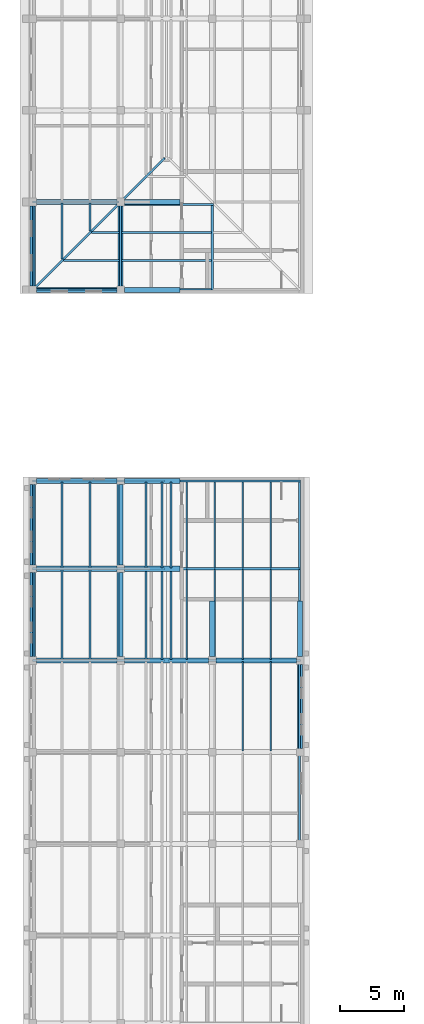
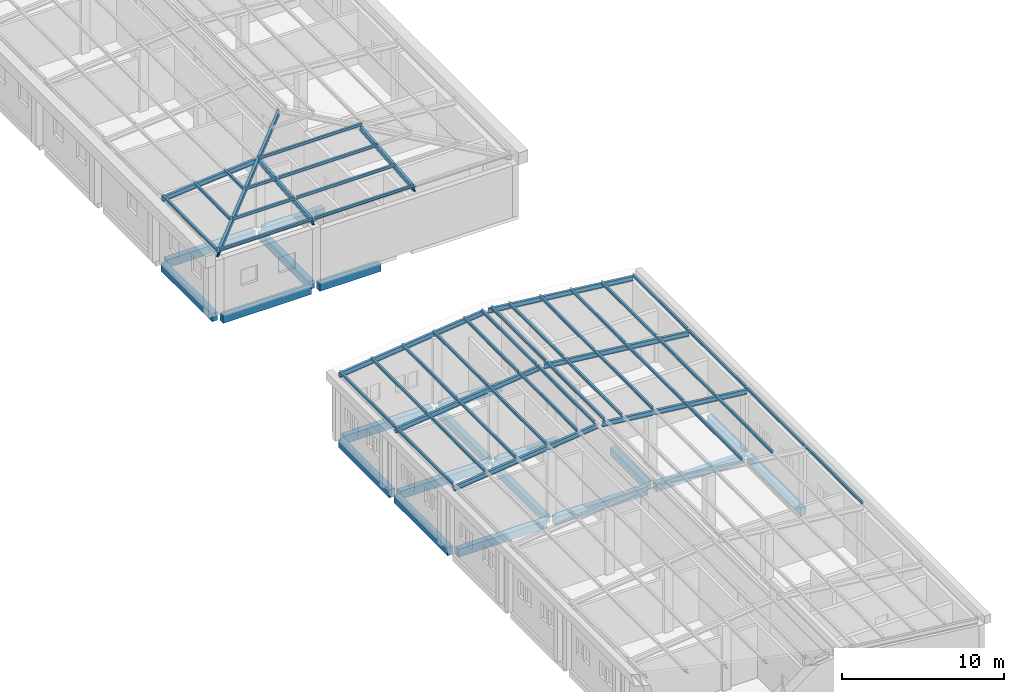
# One storey, part 5 of 48: 38 members, 30 beams.
"""IFC4 building model written with IfcOpenShell, lengths in metres."""

from ifc_helpers import new_model, si_unit, direction, frame, origin, origin_2d, place, context, subcontext, project, spatial, rectangle, i_section, extrude, material, material_profile, profile_set, type_object, element, save


model = new_model("IFC4")

# Units and contexts
model_context = context("Model", 3, precision=1e-05, world=origin(), true_north=direction((0.0, 1.0)))
body_context = subcontext(model_context, "Body", "Model", "MODEL_VIEW")
ifc_project = project(units=[si_unit("LENGTHUNIT", "METRE"), si_unit("AREAUNIT", "SQUARE_METRE"), si_unit("VOLUMEUNIT", "CUBIC_METRE"), si_unit("PLANEANGLEUNIT", "RADIAN"), si_unit("MASSUNIT", "GRAM", prefix="KILO")], contexts=[model_context])

# Site, building, storey
site_placement = place(None, origin())
site = spatial("IfcSite", under=ifc_project, at=site_placement, CompositionType="ELEMENT")
building_placement = place(site_placement, origin())
building = spatial("IfcBuilding", under=site, at=building_placement, Name="Alderwick Market Hall", CompositionType="ELEMENT")
storey_placement = place(building_placement, frame((0.0, 0.0, 14.39990234375)))
storey = spatial("IfcBuildingStorey", under=building, at=storey_placement, Name="L02", CompositionType="ELEMENT", Elevation=14.39990234375)

# Beams
ifc_material_1 = material(Name="Concrete 5000 psi (f'c 35 MPa)", Category="concrete")
ifc_material_profile_1 = material_profile(ifc_material_1, rectangle(XDim=0.39990234375, YDim=0.60009765625, at=origin_2d()), Name="B RC Beam 400x600")
ifc_profile_set_1 = profile_set([ifc_material_profile_1], Name="Concrete 5000 psi (f'c 35 MPa)")
beam_type_1 = type_object("IfcBeamType", Name="B RC Beam 400x600", PredefinedType="BEAM", material=ifc_profile_set_1)
beam_1_placement = place(storey_placement, frame((22.199951171875, 93.60009765625, -0.5498046875), z_axis=(1.0, 0.0, 0.0), x_axis=(0.0, 1.0, 0.0)))
element("IfcBeam", 1, at=beam_1_placement, inside=storey, type_object=beam_type_1, Name="B.N.beam.L02.u360-0006", PredefinedType="BEAM", context=body_context, shape_type="SweptSolid", body=[
    extrude(rectangle(XDim=0.39990234375, YDim=0.60009765625, at=origin_2d()), origin(), (0.0, 0.0, 1.0), 6.300048828125),
])
beam_2_placement = place(storey_placement, frame((29.10009765625, 93.60009765625, -0.5498046875), z_axis=(1.0, 0.0, 0.0), x_axis=(0.0, 1.0, 0.0)))
element("IfcBeam", 2, at=beam_2_placement, inside=storey, type_object=beam_type_1, Name="B.N.beam.L02.u360-0075", PredefinedType="BEAM", context=body_context, shape_type="SweptSolid", body=[
    extrude(rectangle(XDim=0.39990234375, YDim=0.60009765625, at=origin_2d()), origin(), (0.0, 0.0, 1.0), 4.349853515625),
])
beam_3_placement = place(storey_placement, frame((22.199951171875, 86.699951171875, -0.5498046875), z_axis=(1.0, 0.0, 0.0), x_axis=(0.0, 1.0, 0.0)))
element("IfcBeam", 3, at=beam_3_placement, inside=storey, type_object=beam_type_1, Name="B.N.beam.L02.u429-0006", PredefinedType="BEAM", context=body_context, shape_type="SweptSolid", body=[
    extrude(rectangle(XDim=0.39990234375, YDim=0.60009765625, at=origin_2d()), origin(), (0.0, 0.0, 1.0), 6.300048828125),
])
beam_4_placement = place(storey_placement, frame((29.10009765625, 86.699951171875, -0.5498046875), z_axis=(1.0, 0.0, 0.0), x_axis=(0.0, 1.0, 0.0)))
element("IfcBeam", 4, at=beam_4_placement, inside=storey, type_object=beam_type_1, Name="B.N.beam.L02.u429-0075", PredefinedType="BEAM", context=body_context, shape_type="SweptSolid", body=[
    extrude(rectangle(XDim=0.39990234375, YDim=0.60009765625, at=origin_2d()), origin(), (0.0, 0.0, 1.0), 4.349853515625),
])
for number, where, z_axis, x_axis, name in (
    (5, (21.89990234375, 93.300048828125, -0.5498046875), (0.0, -1.0, 0.0), (1.0, 0.0, 0.0), "B.N.beam.L02.w003-0363"),
    (6, (28.800048828125, 93.300048828125, -0.5498046875), (0.0, -1.0, 0.0), (1.0, 0.0, 0.0), "B.N.beam.L02.w072-0363"),
    (7, (22.199951171875, 57.60009765625, -0.5498046875), (1.0, 0.0, 0.0), (0.0, 1.0, 0.0), "B.S.beam.L02.u288-0006"),
):
    element("IfcBeam", number, at=place(storey_placement, frame(where, z_axis=z_axis, x_axis=x_axis)), inside=storey, type_object=beam_type_1, Name=name, PredefinedType="BEAM", context=body_context, shape_type="SweptSolid", body=[
        extrude(rectangle(XDim=0.39990234375, YDim=0.60009765625, at=origin_2d()), origin(), (0.0, 0.0, 1.0), 6.300048828125),
    ])
beam_5_placement = place(storey_placement, frame((29.10009765625, 57.60009765625, -0.5498046875), z_axis=(1.0, 0.0, 0.0), x_axis=(0.0, 1.0, 0.0)))
element("IfcBeam", 8, at=beam_5_placement, inside=storey, type_object=beam_type_1, Name="B.S.beam.L02.u288-0075", PredefinedType="BEAM", context=body_context, shape_type="SweptSolid", body=[
    extrude(rectangle(XDim=0.39990234375, YDim=0.60009765625, at=origin_2d()), origin(), (0.0, 0.0, 1.0), 6.599853515625),
])
for number, where, z_axis, x_axis, name in (
    (9, (36.300048828125, 57.60009765625, -0.5498046875), (1.0, 0.0, 0.0), (0.0, 1.0, 0.0), "B.S.beam.L02.u288-0147"),
    (10, (22.199951171875, 64.800048828125, -0.5498046875), (1.0, 0.0, 0.0), (0.0, 1.0, 0.0), "B.S.beam.L02.u360-0006"),
):
    element("IfcBeam", number, at=place(storey_placement, frame(where, z_axis=z_axis, x_axis=x_axis)), inside=storey, type_object=beam_type_1, Name=name, PredefinedType="BEAM", context=body_context, shape_type="SweptSolid", body=[
        extrude(rectangle(XDim=0.39990234375, YDim=0.60009765625, at=origin_2d()), origin(), (0.0, 0.0, 1.0), 6.300048828125),
    ])
beam_6_placement = place(storey_placement, frame((29.10009765625, 64.800048828125, -0.5498046875), z_axis=(1.0, 0.0, 0.0), x_axis=(0.0, 1.0, 0.0)))
element("IfcBeam", 11, at=beam_6_placement, inside=storey, type_object=beam_type_1, Name="B.S.beam.L02.u360-0075", PredefinedType="BEAM", context=body_context, shape_type="SweptSolid", body=[
    extrude(rectangle(XDim=0.39990234375, YDim=0.60009765625, at=origin_2d()), origin(), (0.0, 0.0, 1.0), 4.349853515625),
])
beam_7_placement = place(storey_placement, frame((22.199951171875, 71.699951171875, -0.5498046875), z_axis=(1.0, 0.0, 0.0), x_axis=(0.0, 1.0, 0.0)))
element("IfcBeam", 12, at=beam_7_placement, inside=storey, type_object=beam_type_1, Name="B.S.beam.L02.u429-0006", PredefinedType="BEAM", context=body_context, shape_type="SweptSolid", body=[
    extrude(rectangle(XDim=0.39990234375, YDim=0.60009765625, at=origin_2d()), origin(), (0.0, 0.0, 1.0), 6.300048828125),
])
beam_8_placement = place(storey_placement, frame((29.10009765625, 71.699951171875, -0.5498046875), z_axis=(1.0, 0.0, 0.0), x_axis=(0.0, 1.0, 0.0)))
element("IfcBeam", 13, at=beam_8_placement, inside=storey, type_object=beam_type_1, Name="B.S.beam.L02.u429-0075", PredefinedType="BEAM", context=body_context, shape_type="SweptSolid", body=[
    extrude(rectangle(XDim=0.39990234375, YDim=0.60009765625, at=origin_2d()), origin(), (0.0, 0.0, 1.0), 4.349853515625),
])
beam_9_placement = place(storey_placement, frame((21.89990234375, 57.89990234375, -0.5498046875), z_axis=(0.0, 1.0, 0.0), x_axis=(-1.0, 0.0, 0.0)))
element("IfcBeam", 14, at=beam_9_placement, inside=storey, type_object=beam_type_1, Name="B.S.beam.L02.w003-0291", PredefinedType="BEAM", context=body_context, shape_type="SweptSolid", body=[
    extrude(rectangle(XDim=0.39990234375, YDim=0.60009765625, at=origin_2d()), origin(), (0.0, 0.0, 1.0), 6.60009765625),
])
beam_10_placement = place(storey_placement, frame((21.89990234375, 65.10009765625, -0.5498046875), z_axis=(0.0, 1.0, 0.0), x_axis=(-1.0, 0.0, 0.0)))
element("IfcBeam", 15, at=beam_10_placement, inside=storey, type_object=beam_type_1, Name="B.S.beam.L02.w003-0363", PredefinedType="BEAM", context=body_context, shape_type="SweptSolid", body=[
    extrude(rectangle(XDim=0.39990234375, YDim=0.60009765625, at=origin_2d()), origin(), (0.0, 0.0, 1.0), 6.2998046875),
])
beam_11_placement = place(storey_placement, frame((28.800048828125, 57.89990234375, -0.5498046875), z_axis=(0.0, 1.0, 0.0), x_axis=(-1.0, 0.0, 0.0)))
element("IfcBeam", 16, at=beam_11_placement, inside=storey, type_object=beam_type_1, Name="B.S.beam.L02.w072-0291", PredefinedType="BEAM", context=body_context, shape_type="SweptSolid", body=[
    extrude(rectangle(XDim=0.39990234375, YDim=0.60009765625, at=origin_2d()), origin(), (0.0, 0.0, 1.0), 6.60009765625),
])
beam_12_placement = place(storey_placement, frame((28.800048828125, 65.10009765625, -0.5498046875), z_axis=(0.0, 1.0, 0.0), x_axis=(-1.0, 0.0, 0.0)))
element("IfcBeam", 17, at=beam_12_placement, inside=storey, type_object=beam_type_1, Name="B.S.beam.L02.w072-0363", PredefinedType="BEAM", context=body_context, shape_type="SweptSolid", body=[
    extrude(rectangle(XDim=0.39990234375, YDim=0.60009765625, at=origin_2d()), origin(), (0.0, 0.0, 1.0), 6.2998046875),
])
beam_13_placement = place(storey_placement, frame((36.0, 57.89990234375, -0.5498046875), z_axis=(0.0, 1.0, 0.0), x_axis=(-1.0, 0.0, 0.0)))
element("IfcBeam", 18, at=beam_13_placement, inside=storey, type_object=beam_type_1, Name="B.S.beam.L02.w144-0291", PredefinedType="BEAM", context=body_context, shape_type="SweptSolid", body=[
    extrude(rectangle(XDim=0.39990234375, YDim=0.60009765625, at=origin_2d()), origin(), (0.0, 0.0, 1.0), 4.35009765625),
])
beam_14_placement = place(storey_placement, frame((42.89990234375, 50.699951171875, -0.5498046875), z_axis=(0.0, 1.0, 0.0), x_axis=(-1.0, 0.0, 0.0)))
element("IfcBeam", 19, at=beam_14_placement, inside=storey, type_object=beam_type_1, Name="B.S.beam.L02.w213-0219", PredefinedType="BEAM", context=body_context, shape_type="SweptSolid", body=[
    extrude(rectangle(XDim=0.39990234375, YDim=0.60009765625, at=origin_2d()), origin(), (0.0, 0.0, 1.0), 6.60009765625),
])
beam_15_placement = place(storey_placement, frame((42.89990234375, 57.89990234375, -0.5498046875), z_axis=(0.0, 1.0, 0.0), x_axis=(-1.0, 0.0, 0.0)))
element("IfcBeam", 20, at=beam_15_placement, inside=storey, type_object=beam_type_1, Name="B.S.beam.L02.w213-0291", PredefinedType="BEAM", context=body_context, shape_type="SweptSolid", body=[
    extrude(rectangle(XDim=0.39990234375, YDim=0.60009765625, at=origin_2d()), origin(), (0.0, 0.0, 1.0), 4.35009765625),
])

# Members
ifc_material_2 = material(Name="Steel ASTM A992 Grade 50", Category="steel")
ifc_material_profile_2 = material_profile(ifc_material_2, i_section(OverallWidth=0.134033203125, OverallDepth=0.2099609375, WebThickness=0.00634765625, FlangeThickness=0.01025390625, at=origin_2d()), Name="W200x31")
ifc_profile_set_2 = profile_set([ifc_material_profile_2], Name="Steel ASTM A992 Grade 50")
member_type = type_object("IfcMemberType", Name="B Roof Purlin W200x31", PredefinedType="PURLIN", material=ifc_profile_set_2)
member_1_placement = place(storey_placement, frame((21.949951171875, 93.52490234375, 4.603515625), z_axis=(0.0, -1.0, 0.0), x_axis=(1.0, 0.0, 0.0)))
element("IfcMember", 21, at=member_1_placement, inside=storey, type_object=member_type, Name="B.N.purlin.s00.05", PredefinedType="PURLIN", context=body_context, shape_type="SweptSolid", body=[
    extrude(i_section(OverallWidth=0.134033203125, OverallDepth=0.2099609375, WebThickness=0.00634765625, FlangeThickness=0.01025390625, at=origin_2d()), origin(), (0.0, 0.0, 1.0), 6.65283203125),
])
member_2_placement = place(storey_placement, frame((22.072021484375, 86.75, 4.603515625), z_axis=(1.0, 0.0, 0.0), x_axis=(0.0, 1.0, 0.0)))
element("IfcMember", 22, at=member_2_placement, inside=storey, type_object=member_type, Name="B.N.purlin.e01.00", PredefinedType="PURLIN", context=body_context, shape_type="SweptSolid", body=[
    extrude(i_section(OverallWidth=0.134033203125, OverallDepth=0.2099609375, WebThickness=0.00634765625, FlangeThickness=0.01025390625, at=origin_2d()), origin(), (0.0, 0.0, 1.0), 6.653076171875),
])
member_3_placement = place(storey_placement, frame((28.875, 86.75, 4.603515625), z_axis=(1.0, 0.0, 0.0), x_axis=(0.0, 1.0, 0.0)))
element("IfcMember", 23, at=member_3_placement, inside=storey, type_object=member_type, Name="B.N.purlin.e01.01", PredefinedType="PURLIN", context=body_context, shape_type="SweptSolid", body=[
    extrude(i_section(OverallWidth=0.134033203125, OverallDepth=0.2099609375, WebThickness=0.00634765625, FlangeThickness=0.01025390625, at=origin_2d()), origin(), (0.0, 0.0, 1.0), 7.050048828125),
])
member_4_placement = place(storey_placement, frame((24.199951171875, 93.52490234375, 4.791015625), z_axis=(0.0, -1.0, 0.0), x_axis=(1.0, 0.0, 0.0)))
element("IfcMember", 24, at=member_4_placement, inside=storey, type_object=member_type, Name="B.N.purlin.s10.05", PredefinedType="PURLIN", context=body_context, shape_type="SweptSolid", body=[
    extrude(i_section(OverallWidth=0.134033203125, OverallDepth=0.2099609375, WebThickness=0.00634765625, FlangeThickness=0.01025390625, at=origin_2d()), origin(), (0.0, 0.0, 1.0), 4.40283203125),
])
member_5_placement = place(storey_placement, frame((24.322021484375, 89.0, 4.791015625), z_axis=(1.0, 0.0, 0.0), x_axis=(0.0, 1.0, 0.0)))
element("IfcMember", 25, at=member_5_placement, inside=storey, type_object=member_type, Name="B.N.purlin.e11.00", PredefinedType="PURLIN", context=body_context, shape_type="SweptSolid", body=[
    extrude(i_section(OverallWidth=0.134033203125, OverallDepth=0.2099609375, WebThickness=0.00634765625, FlangeThickness=0.01025390625, at=origin_2d()), origin(), (0.0, 0.0, 1.0), 4.403076171875),
])
member_6_placement = place(storey_placement, frame((28.875, 89.0, 4.791015625), z_axis=(1.0, 0.0, 0.0), x_axis=(0.0, 1.0, 0.0)))
element("IfcMember", 26, at=member_6_placement, inside=storey, type_object=member_type, Name="B.N.purlin.e11.01", PredefinedType="PURLIN", context=body_context, shape_type="SweptSolid", body=[
    extrude(i_section(OverallWidth=0.134033203125, OverallDepth=0.2099609375, WebThickness=0.00634765625, FlangeThickness=0.01025390625, at=origin_2d()), origin(), (0.0, 0.0, 1.0), 7.050048828125),
])
member_7_placement = place(storey_placement, frame((26.39990234375, 93.52490234375, 4.974365234375), z_axis=(0.0, -1.0, 0.0), x_axis=(1.0, 0.0, 0.0)))
element("IfcMember", 27, at=member_7_placement, inside=storey, type_object=member_type, Name="B.N.purlin.s20.05", PredefinedType="PURLIN", context=body_context, shape_type="SweptSolid", body=[
    extrude(i_section(OverallWidth=0.134033203125, OverallDepth=0.2099609375, WebThickness=0.00634765625, FlangeThickness=0.01025390625, at=origin_2d()), origin(), (0.0, 0.0, 1.0), 2.202880859375),
])
member_8_placement = place(storey_placement, frame((26.52197265625, 91.199951171875, 4.974365234375), z_axis=(1.0, 0.0, 0.0), x_axis=(0.0, 1.0, 0.0)))
element("IfcMember", 28, at=member_8_placement, inside=storey, type_object=member_type, Name="B.N.purlin.e21.00", PredefinedType="PURLIN", context=body_context, shape_type="SweptSolid", body=[
    extrude(i_section(OverallWidth=0.134033203125, OverallDepth=0.2099609375, WebThickness=0.00634765625, FlangeThickness=0.01025390625, at=origin_2d()), origin(), (0.0, 0.0, 1.0), 2.203125),
])
member_9_placement = place(storey_placement, frame((28.875, 91.199951171875, 4.974365234375), z_axis=(1.0, 0.0, 0.0), x_axis=(0.0, 1.0, 0.0)))
element("IfcMember", 29, at=member_9_placement, inside=storey, type_object=member_type, Name="B.N.purlin.e21.01", PredefinedType="PURLIN", context=body_context, shape_type="SweptSolid", body=[
    extrude(i_section(OverallWidth=0.134033203125, OverallDepth=0.2099609375, WebThickness=0.00634765625, FlangeThickness=0.01025390625, at=origin_2d()), origin(), (0.0, 0.0, 1.0), 7.050048828125),
])
member_10_placement = place(storey_placement, frame((28.721923828125, 93.39990234375, 5.15771484375), z_axis=(1.0, 0.0, 0.0), x_axis=(0.0, 1.0, 0.0)))
element("IfcMember", 30, at=member_10_placement, inside=storey, type_object=member_type, Name="B.N.purlin.e31.00", PredefinedType="PURLIN", context=body_context, shape_type="SweptSolid", body=[
    extrude(i_section(OverallWidth=0.134033203125, OverallDepth=0.2099609375, WebThickness=0.00634765625, FlangeThickness=0.01025390625, at=origin_2d()), origin(), (0.0, 0.0, 1.0), 7.35595703125),
])
member_11_placement = place(storey_placement, frame((21.949951171875, 57.675048828125, 4.612548828125), z_axis=(0.0, 1.0, 0.0), x_axis=(-1.0, 0.0, 0.0)))
element("IfcMember", 31, at=member_11_placement, inside=storey, type_object=member_type, Name="B.S.purlin.W0.288", PredefinedType="PURLIN", context=body_context, shape_type="SweptSolid", body=[
    extrude(i_section(OverallWidth=0.134033203125, OverallDepth=0.2099609375, WebThickness=0.00634765625, FlangeThickness=0.01025390625, at=origin_2d()), origin(), (0.0, 0.0, 1.0), 7.050048828125),
])
member_12_placement = place(storey_placement, frame((21.949951171875, 64.875, 4.612548828125), z_axis=(0.0, 1.0, 0.0), x_axis=(-1.0, 0.0, 0.0)))
element("IfcMember", 32, at=member_12_placement, inside=storey, type_object=member_type, Name="B.S.purlin.W0.360", PredefinedType="PURLIN", context=body_context, shape_type="SweptSolid", body=[
    extrude(i_section(OverallWidth=0.134033203125, OverallDepth=0.2099609375, WebThickness=0.00634765625, FlangeThickness=0.01025390625, at=origin_2d()), origin(), (0.0, 0.0, 1.0), 6.75),
])
member_13_placement = place(storey_placement, frame((24.199951171875, 57.675048828125, 4.862548828125), z_axis=(0.0, 1.0, 0.0), x_axis=(-1.0, 0.0, 0.0)))
element("IfcMember", 33, at=member_13_placement, inside=storey, type_object=member_type, Name="B.S.purlin.W1.288", PredefinedType="PURLIN", context=body_context, shape_type="SweptSolid", body=[
    extrude(i_section(OverallWidth=0.134033203125, OverallDepth=0.2099609375, WebThickness=0.00634765625, FlangeThickness=0.01025390625, at=origin_2d()), origin(), (0.0, 0.0, 1.0), 7.050048828125),
])
member_14_placement = place(storey_placement, frame((24.199951171875, 64.875, 4.862548828125), z_axis=(0.0, 1.0, 0.0), x_axis=(-1.0, 0.0, 0.0)))
element("IfcMember", 34, at=member_14_placement, inside=storey, type_object=member_type, Name="B.S.purlin.W1.360", PredefinedType="PURLIN", context=body_context, shape_type="SweptSolid", body=[
    extrude(i_section(OverallWidth=0.134033203125, OverallDepth=0.2099609375, WebThickness=0.00634765625, FlangeThickness=0.01025390625, at=origin_2d()), origin(), (0.0, 0.0, 1.0), 6.75),
])
member_15_placement = place(storey_placement, frame((26.39990234375, 57.675048828125, 5.10693359375), z_axis=(0.0, 1.0, 0.0), x_axis=(-1.0, 0.0, 0.0)))
element("IfcMember", 35, at=member_15_placement, inside=storey, type_object=member_type, Name="B.S.purlin.W2.288", PredefinedType="PURLIN", context=body_context, shape_type="SweptSolid", body=[
    extrude(i_section(OverallWidth=0.134033203125, OverallDepth=0.2099609375, WebThickness=0.00634765625, FlangeThickness=0.01025390625, at=origin_2d()), origin(), (0.0, 0.0, 1.0), 7.050048828125),
])
member_16_placement = place(storey_placement, frame((26.39990234375, 64.875, 5.10693359375), z_axis=(0.0, 1.0, 0.0), x_axis=(-1.0, 0.0, 0.0)))
element("IfcMember", 36, at=member_16_placement, inside=storey, type_object=member_type, Name="B.S.purlin.W2.360", PredefinedType="PURLIN", context=body_context, shape_type="SweptSolid", body=[
    extrude(i_section(OverallWidth=0.134033203125, OverallDepth=0.2099609375, WebThickness=0.00634765625, FlangeThickness=0.01025390625, at=origin_2d()), origin(), (0.0, 0.0, 1.0), 6.75),
])
member_17_placement = place(storey_placement, frame((28.60009765625, 57.675048828125, 5.3515625), z_axis=(0.0, 1.0, 0.0), x_axis=(-1.0, 0.0, 0.0)))
element("IfcMember", 37, at=member_17_placement, inside=storey, type_object=member_type, Name="B.S.purlin.W3.288", PredefinedType="PURLIN", context=body_context, shape_type="SweptSolid", body=[
    extrude(i_section(OverallWidth=0.134033203125, OverallDepth=0.2099609375, WebThickness=0.00634765625, FlangeThickness=0.01025390625, at=origin_2d()), origin(), (0.0, 0.0, 1.0), 7.050048828125),
])
member_18_placement = place(storey_placement, frame((28.60009765625, 64.875, 5.3515625), z_axis=(0.0, 1.0, 0.0), x_axis=(-1.0, 0.0, 0.0)))
element("IfcMember", 38, at=member_18_placement, inside=storey, type_object=member_type, Name="B.S.purlin.W3.360", PredefinedType="PURLIN", context=body_context, shape_type="SweptSolid", body=[
    extrude(i_section(OverallWidth=0.134033203125, OverallDepth=0.2099609375, WebThickness=0.00634765625, FlangeThickness=0.01025390625, at=origin_2d()), origin(), (0.0, 0.0, 1.0), 6.75),
])
member_19_placement = place(storey_placement, frame((30.800048828125, 57.675048828125, 5.595947265625), z_axis=(0.0, 1.0, 0.0), x_axis=(-1.0, 0.0, 0.0)))
element("IfcMember", 39, at=member_19_placement, inside=storey, type_object=member_type, Name="B.S.purlin.W4.288", PredefinedType="PURLIN", context=body_context, shape_type="SweptSolid", body=[
    extrude(i_section(OverallWidth=0.134033203125, OverallDepth=0.2099609375, WebThickness=0.00634765625, FlangeThickness=0.01025390625, at=origin_2d()), origin(), (0.0, 0.0, 1.0), 7.050048828125),
])
member_20_placement = place(storey_placement, frame((30.800048828125, 64.875, 5.595947265625), z_axis=(0.0, 1.0, 0.0), x_axis=(-1.0, 0.0, 0.0)))
element("IfcMember", 40, at=member_20_placement, inside=storey, type_object=member_type, Name="B.S.purlin.W4.360", PredefinedType="PURLIN", context=body_context, shape_type="SweptSolid", body=[
    extrude(i_section(OverallWidth=0.134033203125, OverallDepth=0.2099609375, WebThickness=0.00634765625, FlangeThickness=0.01025390625, at=origin_2d()), origin(), (0.0, 0.0, 1.0), 6.75),
])
member_21_placement = place(storey_placement, frame((32.050048828125, 57.675048828125, 5.73486328125), z_axis=(0.0, 1.0, 0.0), x_axis=(-1.0, 0.0, 0.0)))
element("IfcMember", 41, at=member_21_placement, inside=storey, type_object=member_type, Name="B.S.purlin.W5.288", PredefinedType="PURLIN", context=body_context, shape_type="SweptSolid", body=[
    extrude(i_section(OverallWidth=0.134033203125, OverallDepth=0.2099609375, WebThickness=0.00634765625, FlangeThickness=0.01025390625, at=origin_2d()), origin(), (0.0, 0.0, 1.0), 7.050048828125),
])
member_22_placement = place(storey_placement, frame((32.050048828125, 64.875, 5.73486328125), z_axis=(0.0, 1.0, 0.0), x_axis=(-1.0, 0.0, 0.0)))
element("IfcMember", 42, at=member_22_placement, inside=storey, type_object=member_type, Name="B.S.purlin.W5.360", PredefinedType="PURLIN", context=body_context, shape_type="SweptSolid", body=[
    extrude(i_section(OverallWidth=0.134033203125, OverallDepth=0.2099609375, WebThickness=0.00634765625, FlangeThickness=0.01025390625, at=origin_2d()), origin(), (0.0, 0.0, 1.0), 6.75),
])
member_23_placement = place(storey_placement, frame((42.85009765625, 43.27490234375, 4.612548828125), z_axis=(0.0, 1.0, 0.0), x_axis=(-1.0, 0.0, 0.0)))
element("IfcMember", 43, at=member_23_placement, inside=storey, type_object=member_type, Name="B.S.purlin.E0.144", PredefinedType="PURLIN", context=body_context, shape_type="SweptSolid", body=[
    extrude(i_section(OverallWidth=0.134033203125, OverallDepth=0.2099609375, WebThickness=0.00634765625, FlangeThickness=0.01025390625, at=origin_2d()), origin(), (0.0, 0.0, 1.0), 7.050048828125),
])
member_24_placement = place(storey_placement, frame((42.85009765625, 50.47509765625, 4.612548828125), z_axis=(0.0, 1.0, 0.0), x_axis=(-1.0, 0.0, 0.0)))
element("IfcMember", 44, at=member_24_placement, inside=storey, type_object=member_type, Name="B.S.purlin.E0.216", PredefinedType="PURLIN", context=body_context, shape_type="SweptSolid", body=[
    extrude(i_section(OverallWidth=0.134033203125, OverallDepth=0.2099609375, WebThickness=0.00634765625, FlangeThickness=0.01025390625, at=origin_2d()), origin(), (0.0, 0.0, 1.0), 7.0498046875),
])
member_25_placement = place(storey_placement, frame((42.85009765625, 57.675048828125, 4.612548828125), z_axis=(0.0, 1.0, 0.0), x_axis=(-1.0, 0.0, 0.0)))
element("IfcMember", 45, at=member_25_placement, inside=storey, type_object=member_type, Name="B.S.purlin.E0.288", PredefinedType="PURLIN", context=body_context, shape_type="SweptSolid", body=[
    extrude(i_section(OverallWidth=0.134033203125, OverallDepth=0.2099609375, WebThickness=0.00634765625, FlangeThickness=0.01025390625, at=origin_2d()), origin(), (0.0, 0.0, 1.0), 7.050048828125),
])
member_26_placement = place(storey_placement, frame((42.85009765625, 64.875, 4.612548828125), z_axis=(0.0, 1.0, 0.0), x_axis=(-1.0, 0.0, 0.0)))
element("IfcMember", 46, at=member_26_placement, inside=storey, type_object=member_type, Name="B.S.purlin.E0.360", PredefinedType="PURLIN", context=body_context, shape_type="SweptSolid", body=[
    extrude(i_section(OverallWidth=0.134033203125, OverallDepth=0.2099609375, WebThickness=0.00634765625, FlangeThickness=0.01025390625, at=origin_2d()), origin(), (0.0, 0.0, 1.0), 6.75),
])
member_27_placement = place(storey_placement, frame((40.60009765625, 50.47509765625, 4.862548828125), z_axis=(0.0, 1.0, 0.0), x_axis=(-1.0, 0.0, 0.0)))
element("IfcMember", 47, at=member_27_placement, inside=storey, type_object=member_type, Name="B.S.purlin.E1.216", PredefinedType="PURLIN", context=body_context, shape_type="SweptSolid", body=[
    extrude(i_section(OverallWidth=0.134033203125, OverallDepth=0.2099609375, WebThickness=0.00634765625, FlangeThickness=0.01025390625, at=origin_2d()), origin(), (0.0, 0.0, 1.0), 7.0498046875),
])
member_28_placement = place(storey_placement, frame((40.60009765625, 57.675048828125, 4.862548828125), z_axis=(0.0, 1.0, 0.0), x_axis=(-1.0, 0.0, 0.0)))
element("IfcMember", 48, at=member_28_placement, inside=storey, type_object=member_type, Name="B.S.purlin.E1.288", PredefinedType="PURLIN", context=body_context, shape_type="SweptSolid", body=[
    extrude(i_section(OverallWidth=0.134033203125, OverallDepth=0.2099609375, WebThickness=0.00634765625, FlangeThickness=0.01025390625, at=origin_2d()), origin(), (0.0, 0.0, 1.0), 7.050048828125),
])
member_29_placement = place(storey_placement, frame((40.60009765625, 64.875, 4.862548828125), z_axis=(0.0, 1.0, 0.0), x_axis=(-1.0, 0.0, 0.0)))
element("IfcMember", 49, at=member_29_placement, inside=storey, type_object=member_type, Name="B.S.purlin.E1.360", PredefinedType="PURLIN", context=body_context, shape_type="SweptSolid", body=[
    extrude(i_section(OverallWidth=0.134033203125, OverallDepth=0.2099609375, WebThickness=0.00634765625, FlangeThickness=0.01025390625, at=origin_2d()), origin(), (0.0, 0.0, 1.0), 6.75),
])
member_30_placement = place(storey_placement, frame((38.39990234375, 50.47509765625, 5.10693359375), z_axis=(0.0, 1.0, 0.0), x_axis=(-1.0, 0.0, 0.0)))
element("IfcMember", 50, at=member_30_placement, inside=storey, type_object=member_type, Name="B.S.purlin.E2.216", PredefinedType="PURLIN", context=body_context, shape_type="SweptSolid", body=[
    extrude(i_section(OverallWidth=0.134033203125, OverallDepth=0.2099609375, WebThickness=0.00634765625, FlangeThickness=0.01025390625, at=origin_2d()), origin(), (0.0, 0.0, 1.0), 7.0498046875),
])
member_31_placement = place(storey_placement, frame((38.39990234375, 57.675048828125, 5.10693359375), z_axis=(0.0, 1.0, 0.0), x_axis=(-1.0, 0.0, 0.0)))
element("IfcMember", 51, at=member_31_placement, inside=storey, type_object=member_type, Name="B.S.purlin.E2.288", PredefinedType="PURLIN", context=body_context, shape_type="SweptSolid", body=[
    extrude(i_section(OverallWidth=0.134033203125, OverallDepth=0.2099609375, WebThickness=0.00634765625, FlangeThickness=0.01025390625, at=origin_2d()), origin(), (0.0, 0.0, 1.0), 7.050048828125),
])
member_32_placement = place(storey_placement, frame((38.39990234375, 64.875, 5.10693359375), z_axis=(0.0, 1.0, 0.0), x_axis=(-1.0, 0.0, 0.0)))
element("IfcMember", 52, at=member_32_placement, inside=storey, type_object=member_type, Name="B.S.purlin.E2.360", PredefinedType="PURLIN", context=body_context, shape_type="SweptSolid", body=[
    extrude(i_section(OverallWidth=0.134033203125, OverallDepth=0.2099609375, WebThickness=0.00634765625, FlangeThickness=0.01025390625, at=origin_2d()), origin(), (0.0, 0.0, 1.0), 6.75),
])
member_33_placement = place(storey_placement, frame((36.199951171875, 57.675048828125, 5.3515625), z_axis=(0.0, 1.0, 0.0), x_axis=(-1.0, 0.0, 0.0)))
element("IfcMember", 53, at=member_33_placement, inside=storey, type_object=member_type, Name="B.S.purlin.E3.288", PredefinedType="PURLIN", context=body_context, shape_type="SweptSolid", body=[
    extrude(i_section(OverallWidth=0.134033203125, OverallDepth=0.2099609375, WebThickness=0.00634765625, FlangeThickness=0.01025390625, at=origin_2d()), origin(), (0.0, 0.0, 1.0), 7.050048828125),
])
member_34_placement = place(storey_placement, frame((36.199951171875, 64.875, 5.3515625), z_axis=(0.0, 1.0, 0.0), x_axis=(-1.0, 0.0, 0.0)))
element("IfcMember", 54, at=member_34_placement, inside=storey, type_object=member_type, Name="B.S.purlin.E3.360", PredefinedType="PURLIN", context=body_context, shape_type="SweptSolid", body=[
    extrude(i_section(OverallWidth=0.134033203125, OverallDepth=0.2099609375, WebThickness=0.00634765625, FlangeThickness=0.01025390625, at=origin_2d()), origin(), (0.0, 0.0, 1.0), 6.75),
])
member_35_placement = place(storey_placement, frame((34.0, 57.675048828125, 5.595947265625), z_axis=(0.0, 1.0, 0.0), x_axis=(-1.0, 0.0, 0.0)))
element("IfcMember", 55, at=member_35_placement, inside=storey, type_object=member_type, Name="B.S.purlin.E4.288", PredefinedType="PURLIN", context=body_context, shape_type="SweptSolid", body=[
    extrude(i_section(OverallWidth=0.134033203125, OverallDepth=0.2099609375, WebThickness=0.00634765625, FlangeThickness=0.01025390625, at=origin_2d()), origin(), (0.0, 0.0, 1.0), 7.050048828125),
])
member_36_placement = place(storey_placement, frame((34.0, 64.875, 5.595947265625), z_axis=(0.0, 1.0, 0.0), x_axis=(-1.0, 0.0, 0.0)))
element("IfcMember", 56, at=member_36_placement, inside=storey, type_object=member_type, Name="B.S.purlin.E4.360", PredefinedType="PURLIN", context=body_context, shape_type="SweptSolid", body=[
    extrude(i_section(OverallWidth=0.134033203125, OverallDepth=0.2099609375, WebThickness=0.00634765625, FlangeThickness=0.01025390625, at=origin_2d()), origin(), (0.0, 0.0, 1.0), 6.75),
])
member_37_placement = place(storey_placement, frame((32.75, 57.675048828125, 5.73486328125), z_axis=(0.0, 1.0, 0.0), x_axis=(-1.0, 0.0, 0.0)))
element("IfcMember", 57, at=member_37_placement, inside=storey, type_object=member_type, Name="B.S.purlin.E5.288", PredefinedType="PURLIN", context=body_context, shape_type="SweptSolid", body=[
    extrude(i_section(OverallWidth=0.134033203125, OverallDepth=0.2099609375, WebThickness=0.00634765625, FlangeThickness=0.01025390625, at=origin_2d()), origin(), (0.0, 0.0, 1.0), 7.050048828125),
])
member_38_placement = place(storey_placement, frame((32.75, 64.875, 5.73486328125), z_axis=(0.0, 1.0, 0.0), x_axis=(-1.0, 0.0, 0.0)))
element("IfcMember", 58, at=member_38_placement, inside=storey, type_object=member_type, Name="B.S.purlin.E5.360", PredefinedType="PURLIN", context=body_context, shape_type="SweptSolid", body=[
    extrude(i_section(OverallWidth=0.134033203125, OverallDepth=0.2099609375, WebThickness=0.00634765625, FlangeThickness=0.01025390625, at=origin_2d()), origin(), (0.0, 0.0, 1.0), 6.75),
])

# Beams
ifc_material_profile_3 = material_profile(ifc_material_2, i_section(OverallWidth=0.1708984375, OverallDepth=0.35498046875, WebThickness=0.007080078125, FlangeThickness=0.01171875, at=origin_2d()), Name="W360x51")
ifc_profile_set_3 = profile_set([ifc_material_profile_3], Name="Steel ASTM A992 Grade 50")
beam_type_2 = type_object("IfcBeamType", Name="B Roof Rafter W360x51", PredefinedType="BEAM", material=ifc_profile_set_3)
beam_16_placement = place(storey_placement, frame((21.89990234375, 86.699951171875, 4.31591796875), z_axis=(0.70588269844, 0.70588269844, 0.058815236862), x_axis=(-0.707106781187, 0.707106781187, 0.0)))
element("IfcBeam", 59, at=beam_16_placement, inside=storey, type_object=beam_type_2, Name="B.N.hip.4", PredefinedType="BEAM", context=body_context, shape_type="SweptSolid", body=[
    extrude(i_section(OverallWidth=0.1708984375, OverallDepth=0.35498046875, WebThickness=0.007080078125, FlangeThickness=0.01171875, at=origin_2d()), origin(), (0.0, 0.0, 1.0), 14.66943359375),
])
for number, where, z_axis, x_axis, name in (
    (60, (21.89990234375, 93.60009765625, 4.31591796875), (0.996547490881, 0.0, 0.083024685603), (0.0, 1.0, 0.0), "B.N.rafter.W.360"),
    (61, (28.800048828125, 86.699951171875, 4.31591796875), (0.0, 0.996547490881, 0.083024685603), (-1.0, 0.0, 0.0), "B.N.jack.N.072"),
    (62, (36.0, 86.699951171875, 4.31591796875), (0.0, 0.996547490881, 0.083024685603), (-1.0, 0.0, 0.0), "B.N.jack.N.144"),
):
    element("IfcBeam", number, at=place(storey_placement, frame(where, z_axis=z_axis, x_axis=x_axis)), inside=storey, type_object=beam_type_2, Name=name, PredefinedType="BEAM", context=body_context, shape_type="SweptSolid", body=[
        extrude(i_section(OverallWidth=0.1708984375, OverallDepth=0.35498046875, WebThickness=0.007080078125, FlangeThickness=0.01171875, at=origin_2d()), origin(), (0.0, 0.0, 1.0), 6.801513671875),
    ])
beam_17_placement = place(storey_placement, frame((21.89990234375, 57.60009765625, 4.32275390625), z_axis=(0.993882305082, 0.0, 0.110444391641), x_axis=(0.0, 1.0, 0.0)))
element("IfcBeam", 63, at=beam_17_placement, inside=storey, type_object=beam_type_2, Name="B.S.rafter.W.288", PredefinedType="BEAM", context=body_context, shape_type="SweptSolid", body=[
    extrude(i_section(OverallWidth=0.1708984375, OverallDepth=0.35498046875, WebThickness=0.007080078125, FlangeThickness=0.01171875, at=origin_2d()), origin(), (0.0, 0.0, 1.0), 10.413818359375),
])
beam_18_placement = place(storey_placement, frame((42.89990234375, 57.60009765625, 4.32275390625), z_axis=(-0.993882019104, 0.0, 0.110446965112), x_axis=(0.0, -1.0, 0.0)))
element("IfcBeam", 64, at=beam_18_placement, inside=storey, type_object=beam_type_2, Name="B.S.rafter.E.288", PredefinedType="BEAM", context=body_context, shape_type="SweptSolid", body=[
    extrude(i_section(OverallWidth=0.1708984375, OverallDepth=0.35498046875, WebThickness=0.007080078125, FlangeThickness=0.01171875, at=origin_2d()), origin(), (0.0, 0.0, 1.0), 10.41357421875),
])
beam_19_placement = place(storey_placement, frame((21.89990234375, 64.800048828125, 4.32275390625), z_axis=(0.993882305082, 0.0, 0.110444391641), x_axis=(0.0, 1.0, 0.0)))
element("IfcBeam", 65, at=beam_19_placement, inside=storey, type_object=beam_type_2, Name="B.S.rafter.W.360", PredefinedType="BEAM", context=body_context, shape_type="SweptSolid", body=[
    extrude(i_section(OverallWidth=0.1708984375, OverallDepth=0.35498046875, WebThickness=0.007080078125, FlangeThickness=0.01171875, at=origin_2d()), origin(), (0.0, 0.0, 1.0), 10.413818359375),
])
beam_20_placement = place(storey_placement, frame((42.89990234375, 64.800048828125, 4.32275390625), z_axis=(-0.993882019104, 0.0, 0.110446965112), x_axis=(0.0, -1.0, 0.0)))
element("IfcBeam", 66, at=beam_20_placement, inside=storey, type_object=beam_type_2, Name="B.S.rafter.E.360", PredefinedType="BEAM", context=body_context, shape_type="SweptSolid", body=[
    extrude(i_section(OverallWidth=0.1708984375, OverallDepth=0.35498046875, WebThickness=0.007080078125, FlangeThickness=0.01171875, at=origin_2d()), origin(), (0.0, 0.0, 1.0), 10.41357421875),
])
beam_21_placement = place(storey_placement, frame((21.89990234375, 71.699951171875, 4.32275390625), z_axis=(0.993882305082, 0.0, 0.110444391641), x_axis=(0.0, 1.0, 0.0)))
element("IfcBeam", 67, at=beam_21_placement, inside=storey, type_object=beam_type_2, Name="B.S.rafter.W.429", PredefinedType="BEAM", context=body_context, shape_type="SweptSolid", body=[
    extrude(i_section(OverallWidth=0.1708984375, OverallDepth=0.35498046875, WebThickness=0.007080078125, FlangeThickness=0.01171875, at=origin_2d()), origin(), (0.0, 0.0, 1.0), 10.413818359375),
])
beam_22_placement = place(storey_placement, frame((42.89990234375, 71.699951171875, 4.32275390625), z_axis=(-0.993882019104, 0.0, 0.110446965112), x_axis=(0.0, -1.0, 0.0)))
element("IfcBeam", 68, at=beam_22_placement, inside=storey, type_object=beam_type_2, Name="B.S.rafter.E.429", PredefinedType="BEAM", context=body_context, shape_type="SweptSolid", body=[
    extrude(i_section(OverallWidth=0.1708984375, OverallDepth=0.35498046875, WebThickness=0.007080078125, FlangeThickness=0.01171875, at=origin_2d()), origin(), (0.0, 0.0, 1.0), 10.41357421875),
])

save(model, "model.ifc")
